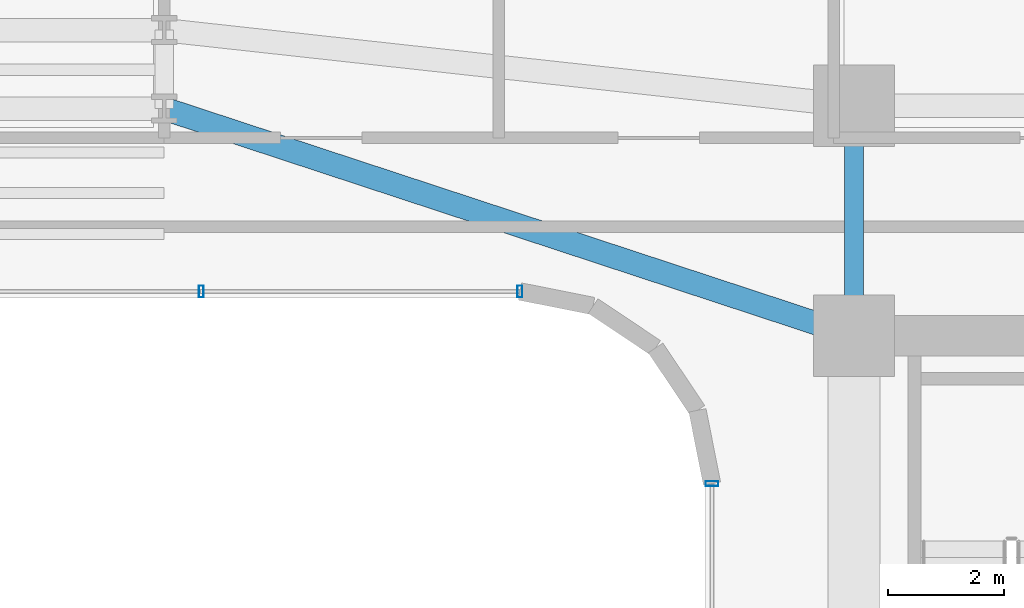
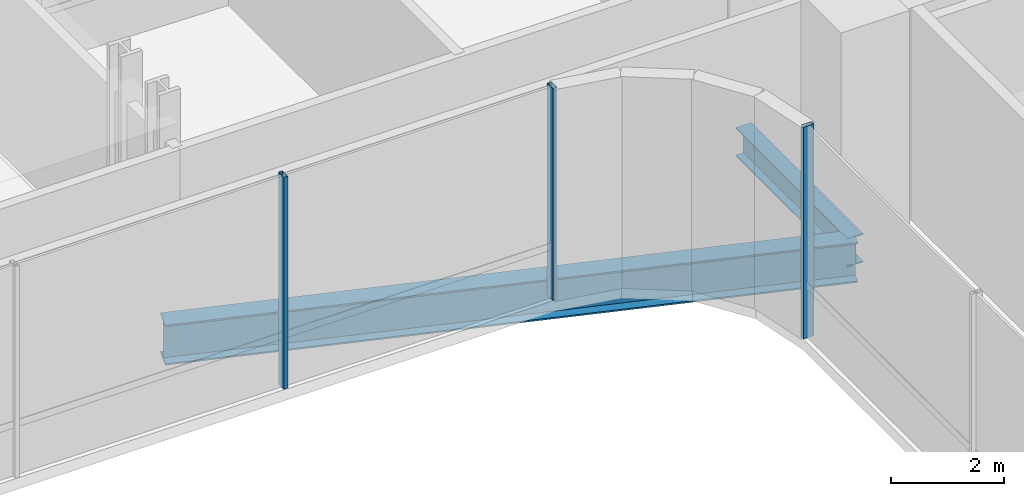
# One storey, part 18 of 39: 3 members, 2 beams, 2 elements without a shape of their own.
"""IFC4 building model written with IfcOpenShell, lengths in metres."""

from ifc_helpers import new_model, si_unit, direction, frame, origin, origin_2d, place, context, subcontext, project, spatial, hollow_rectangle, i_section, extrude, source, transform, mapped, material, material_profile, profile_set, type_object, element, aggregate, save


model = new_model("IFC4")

# Units and contexts
model_context = context("Model", 3, precision=1e-05, world=origin(), true_north=direction((0.0, 1.0)))
body_context = subcontext(model_context, "Body", "Model", "MODEL_VIEW")
ifc_project = project(units=[si_unit("LENGTHUNIT", "METRE"), si_unit("AREAUNIT", "SQUARE_METRE"), si_unit("VOLUMEUNIT", "CUBIC_METRE"), si_unit("PLANEANGLEUNIT", "RADIAN"), si_unit("MASSUNIT", "GRAM", prefix="KILO")], contexts=[model_context])

# Site, building, storey
site_placement = place(None, origin())
site = spatial("IfcSite", under=ifc_project, at=site_placement, CompositionType="ELEMENT")
building_placement = place(site_placement, origin())
building = spatial("IfcBuilding", under=site, at=building_placement, Name="Valdorenza Pilgrim Sanctuary Tower", CompositionType="ELEMENT")
storey_placement = place(building_placement, frame((0.0, 0.0, 96.300048828125)))
storey = spatial("IfcBuildingStorey", under=building, at=storey_placement, Name="L24", CompositionType="ELEMENT", Elevation=96.300048828125)

# Beams
ifc_material_1 = material(Name="Steel ASTM A992 Grade 50", Category="steel")
ifc_material_profile_1 = material_profile(ifc_material_1, i_section(OverallWidth=0.323974609375, OverallDepth=0.611083984375, WebThickness=0.0126953125, FlangeThickness=0.01904296875, at=origin_2d()), Name="W24X104")
ifc_profile_set_1 = profile_set([ifc_material_profile_1], Name="Steel ASTM A992 Grade 50")
beam_type_1 = type_object("IfcBeamType", Name="STR-BM-GRD-W24B", PredefinedType="BEAM", material=ifc_profile_set_1)
shared_shape_1 = source(origin(), body_context, "Body", "SweptSolid", [
    extrude(i_section(OverallWidth=0.323974609375, OverallDepth=0.611083984375, WebThickness=0.0126953125, FlangeThickness=0.01904296875, at=origin_2d()), origin(), (0.0, 0.0, 1.0), 3.949951171875),
])
beam_1_placement = place(storey_placement, frame((15.85009765625, 9.550048828125, -0.545654296875), z_axis=(0.0, 1.0, 0.0), x_axis=(-1.0, 0.0, 0.0)))
element("IfcBeam", 1, at=beam_1_placement, inside=storey, type_object=beam_type_1, Name="L24 Core Tie Girder CB-W-N1N2", PredefinedType="BEAM", context=body_context, shape_type="MappedRepresentation", body=[
    mapped(shared_shape_1, transform((0.0, 0.0, 0.0), x_axis=(1.0, 0.0, 0.0), y_axis=(0.0, 1.0, 0.0), z_axis=(0.0, 0.0, 1.0), scale=1.0)),
])
ifc_material_profile_2 = material_profile(ifc_material_1, i_section(OverallWidth=0.39990234375, OverallDepth=0.862060546875, WebThickness=0.019775390625, FlangeThickness=0.032470703125, at=origin_2d()), Name="W33X221")
ifc_profile_set_2 = profile_set([ifc_material_profile_2], Name="Steel ASTM A992 Grade 50")
beam_type_2 = type_object("IfcBeamType", Name="STR-BM-GRD-W33", PredefinedType="BEAM", material=ifc_profile_set_2)
shared_shape_2 = source(origin(), body_context, "Body", "SweptSolid", [
    extrude(i_section(OverallWidth=0.39990234375, OverallDepth=0.862060546875, WebThickness=0.019775390625, FlangeThickness=0.032470703125, at=origin_2d()), origin(), (0.0, 0.0, 1.0), 12.475341796875),
])
beam_2_placement = place(storey_placement, frame((4.0, 13.449951171875, -0.671142578125), z_axis=(0.949881908141, -0.312608957943, 0.0), x_axis=(0.312608957943, 0.949881908141, 0.0)))
element("IfcBeam", 2, at=beam_2_placement, inside=storey, type_object=beam_type_2, Name="L24 Floor Girder KNK-G3", PredefinedType="BEAM", context=body_context, shape_type="MappedRepresentation", body=[
    mapped(shared_shape_2, transform((0.0, 0.0, 0.0), x_axis=(1.0, 0.0, 0.0), y_axis=(0.0, 1.0, 0.0), z_axis=(0.0, 0.0, 1.0), scale=1.0)),
])

# Curtain wall, members
ifc_material_2 = material(Name="Curtain-wall IGU glazing", Category="glass")
curtain_wall_type_1 = type_object("IfcCurtainWallType", Name="CW-SYS-02", PredefinedType="NOTDEFINED", material=ifc_material_2)
curtain_wall_1_placement = place(storey_placement, origin())
curtain_wall_1 = element("IfcCurtainWall", 3, at=curtain_wall_1_placement, inside=storey, type_object=curtain_wall_type_1, Name="L24 Curtain Wall CW-L24-1-36", PredefinedType="NOTDEFINED")
ifc_material_3 = material(Name="Anodised aluminium AW-6060", Category="aluminium")
ifc_material_profile_3 = material_profile(ifc_material_3, hollow_rectangle(XDim=0.0849609375, YDim=0.199951171875, WallThickness=0.0048828125, at=origin_2d()), Name="ALU-M 200x85x5")
ifc_profile_set_3 = profile_set([ifc_material_profile_3], Name="Anodised aluminium AW-6060")
member_type_1 = type_object("IfcMemberType", Name="CW-MUL-02", PredefinedType="MULLION", material=ifc_profile_set_3)
shared_shape_3 = source(origin(), body_context, "Body", "SweptSolid", [
    extrude(hollow_rectangle(XDim=0.0849609375, YDim=0.199951171875, WallThickness=0.0048828125, at=origin_2d()), origin(), (0.0, 0.0, 1.0), 4.56005859375),
])
member_1_placement = place(storey_placement, frame((10.11083984375, 10.31005859375, 0.0), z_axis=(0.0, 0.0, 1.0), x_axis=(-1.0, 0.0, 0.0)))
member_1 = element("IfcMember", 4, at=member_1_placement, type_object=member_type_1, Name="CW-L24-1-36 Mullion 1", PredefinedType="MULLION", context=body_context, shape_type="MappedRepresentation", body=[
    mapped(shared_shape_3, transform((0.0, 0.0, 0.0), x_axis=(1.0, 0.0, 0.0), y_axis=(0.0, 1.0, 0.0), z_axis=(0.0, 0.0, 1.0), scale=1.0)),
])
member_2_placement = place(storey_placement, frame((4.636962890625, 10.31005859375, 0.0), z_axis=(0.0, 0.0, 1.0), x_axis=(-1.0, 0.0, 0.0)))
member_2 = element("IfcMember", 5, at=member_2_placement, type_object=member_type_1, Name="CW-L24-1-36 Mullion 2", PredefinedType="MULLION", context=body_context, shape_type="MappedRepresentation", body=[
    mapped(shared_shape_3, transform((0.0, 0.0, 0.0), x_axis=(1.0, 0.0, 0.0), y_axis=(0.0, 1.0, 0.0), z_axis=(0.0, 0.0, 1.0), scale=1.0)),
])
aggregate(curtain_wall_1, [member_1, member_2])

# Curtain wall, member
curtain_wall_type_2 = type_object("IfcCurtainWallType", Name="CW-SYS-03", PredefinedType="NOTDEFINED", material=ifc_material_2)
curtain_wall_2_placement = place(storey_placement, origin())
curtain_wall_2 = element("IfcCurtainWall", 6, at=curtain_wall_2_placement, inside=storey, type_object=curtain_wall_type_2, Name="L24 Curtain Wall CW-L24-1-31", PredefinedType="NOTDEFINED")
ifc_material_profile_4 = material_profile(ifc_material_3, hollow_rectangle(XDim=0.0849609375, YDim=0.219970703125, WallThickness=0.0048828125, at=origin_2d()), Name="ALU-M 220x85x5")
ifc_profile_set_4 = profile_set([ifc_material_profile_4], Name="Anodised aluminium AW-6060")
member_type_2 = type_object("IfcMemberType", Name="CW-MUL-03", PredefinedType="MULLION", material=ifc_profile_set_4)
shared_shape_4 = source(origin(), body_context, "Body", "SweptSolid", [
    extrude(hollow_rectangle(XDim=0.0849609375, YDim=0.219970703125, WallThickness=0.0048828125, at=origin_2d()), origin(), (0.0, 0.0, 1.0), 4.56005859375),
])
member_3_placement = place(storey_placement, frame((13.409912109375, 7.0107421875, 0.0), z_axis=(0.0, 0.0, 1.0), x_axis=(0.0, 1.0, 0.0)))
member_3 = element("IfcMember", 7, at=member_3_placement, type_object=member_type_2, Name="CW-L24-1-31 Mullion 4", PredefinedType="MULLION", context=body_context, shape_type="MappedRepresentation", body=[
    mapped(shared_shape_4, transform((0.0, 0.0, 0.0), x_axis=(1.0, 0.0, 0.0), y_axis=(0.0, 1.0, 0.0), z_axis=(0.0, 0.0, 1.0), scale=1.0)),
])
aggregate(curtain_wall_2, [member_3])

save(model, "model.ifc")
